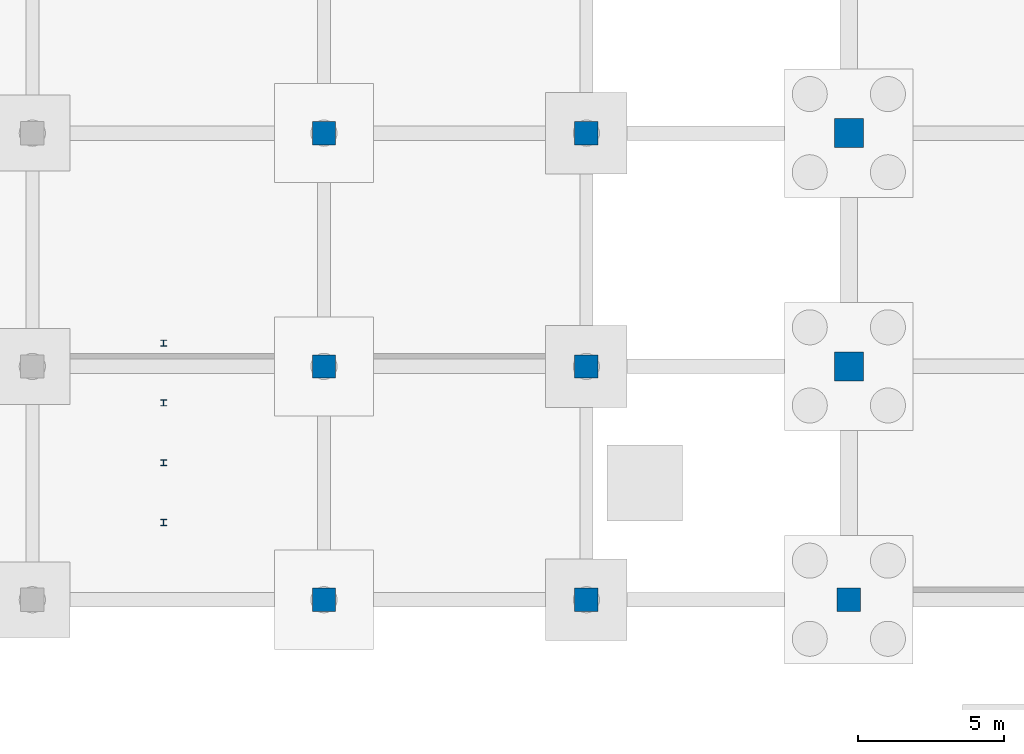
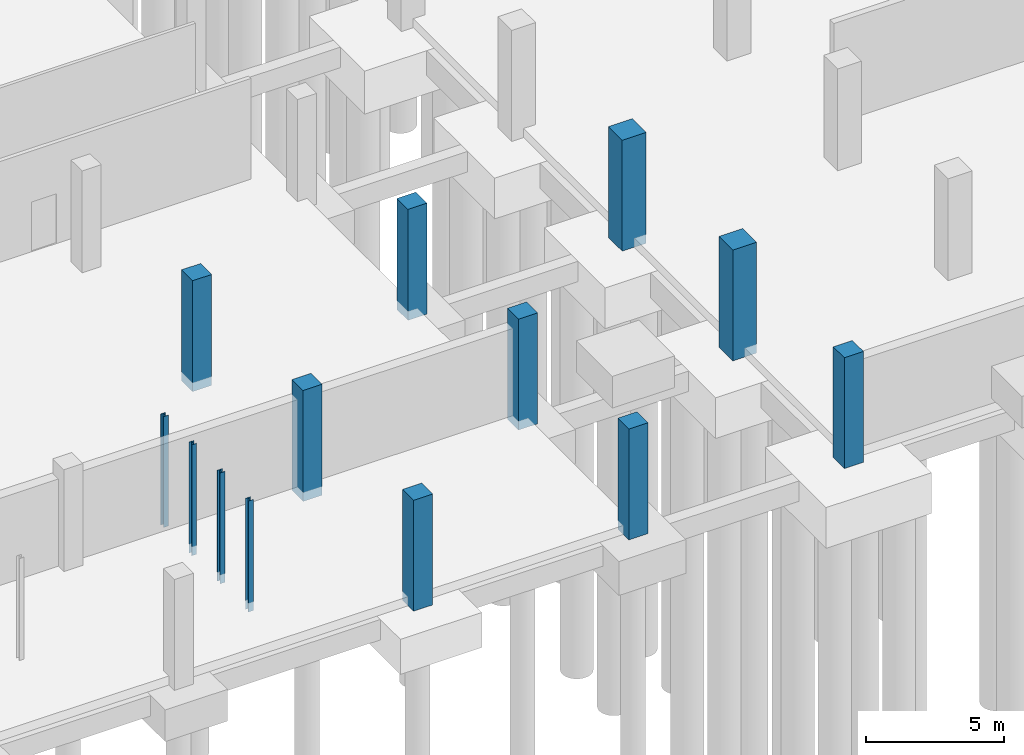
# One storey, part 13 of 40: 13 columns.
"""IFC4 building model written with IfcOpenShell, lengths in metres."""

from ifc_helpers import new_model, si_unit, direction, frame, origin, origin_2d, place, context, subcontext, project, spatial, rectangle, i_section, extrude, material, material_profile, profile_set, type_object, element, save


model = new_model("IFC4")

# Units and contexts
model_context = context("Model", 3, precision=1e-05, world=origin(), true_north=direction((0.0, 1.0)))
body_context = subcontext(model_context, "Body", "Model", "MODEL_VIEW")
ifc_project = project(units=[si_unit("LENGTHUNIT", "METRE"), si_unit("AREAUNIT", "SQUARE_METRE"), si_unit("VOLUMEUNIT", "CUBIC_METRE"), si_unit("PLANEANGLEUNIT", "RADIAN"), si_unit("MASSUNIT", "GRAM", prefix="KILO")], contexts=[model_context])

# Site, building, storey
site_placement = place(None, origin())
site = spatial("IfcSite", under=ifc_project, at=site_placement, CompositionType="ELEMENT")
building_placement = place(site_placement, origin())
building = spatial("IfcBuilding", under=site, at=building_placement, Name="Marnock Terrace Opera House", CompositionType="ELEMENT")
storey_placement = place(building_placement, frame((0.0, 0.0, -4.800048828125)))
storey = spatial("IfcBuildingStorey", under=building, at=storey_placement, Name="B1", CompositionType="ELEMENT", Elevation=-4.800048828125)

# Columns
ifc_material_1 = material(Name="Concrete N50 (f'c = 50 MPa)", Category="concrete")
ifc_material_profile_1 = material_profile(ifc_material_1, rectangle(XDim=1.0, YDim=1.0, at=origin_2d()))
ifc_profile_set_1 = profile_set([ifc_material_profile_1], Name="Concrete N50 (f'c = 50 MPa)")
column_type_1 = type_object("IfcColumnType", Name="COL-RC1000", PredefinedType="COLUMN", material=ifc_profile_set_1)
for number, where, z_axis, x_axis, name in (
    (1, (55.0, 16.0, -0.39990234375), (0.0, 0.0, 1.0), (1.0, 0.0, 0.0), "B1 column at (55.0, 16.0)"),
    (2, (55.0, 24.0, -0.39990234375), (0.0, 0.0, 1.0), (1.0, 0.0, 0.0), "B1 column at (55.0, 24.0)"),
):
    element("IfcColumn", number, at=place(storey_placement, frame(where, z_axis=z_axis, x_axis=x_axis)), inside=storey, type_object=column_type_1, Name=name, PredefinedType="COLUMN", context=body_context, shape_type="SweptSolid", body=[
        extrude(rectangle(XDim=1.0, YDim=1.0, at=origin_2d()), origin(), (0.0, 0.0, 1.0), 4.89990234375),
    ])
ifc_material_profile_2 = material_profile(ifc_material_1, rectangle(XDim=0.800048828125, YDim=0.800048828125, at=origin_2d()))
ifc_profile_set_2 = profile_set([ifc_material_profile_2], Name="Concrete N50 (f'c = 50 MPa)")
column_type_2 = type_object("IfcColumnType", Name="COL-RC800", PredefinedType="COLUMN", material=ifc_profile_set_2)
for number, where, z_axis, x_axis, name in (
    (3, (37.0, 8.0, -0.39990234375), (0.0, 0.0, 1.0), (1.0, 0.0, 0.0), "B1 column at (37.0, 8.0)"),
    (4, (37.0, 16.0, -0.39990234375), (0.0, 0.0, 1.0), (1.0, 0.0, 0.0), "B1 column at (37.0, 16.0)"),
    (5, (37.0, 24.0, -0.39990234375), (0.0, 0.0, 1.0), (1.0, 0.0, 0.0), "B1 column at (37.0, 24.0)"),
    (6, (46.0, 8.0, -0.39990234375), (0.0, 0.0, 1.0), (1.0, 0.0, 0.0), "B1 column at (46.0, 8.0)"),
    (7, (46.0, 16.0, -0.39990234375), (0.0, 0.0, 1.0), (1.0, 0.0, 0.0), "B1 column at (46.0, 16.0)"),
    (8, (46.0, 24.0, -0.39990234375), (0.0, 0.0, 1.0), (1.0, 0.0, 0.0), "B1 column at (46.0, 24.0)"),
    (9, (55.0, 8.0, -0.39990234375), (0.0, 0.0, 1.0), (1.0, 0.0, 0.0), "B1 column at (55.0, 8.0)"),
):
    element("IfcColumn", number, at=place(storey_placement, frame(where, z_axis=z_axis, x_axis=x_axis)), inside=storey, type_object=column_type_2, Name=name, PredefinedType="COLUMN", context=body_context, shape_type="SweptSolid", body=[
        extrude(rectangle(XDim=0.800048828125, YDim=0.800048828125, at=origin_2d()), origin(), (0.0, 0.0, 1.0), 4.89990234375),
    ])
ifc_material_2 = material(Name="Steel Grade 350 (AS/NZS 3679.1)", Category="steel")
ifc_material_profile_3 = material_profile(ifc_material_2, i_section(OverallWidth=0.205078125, OverallDepth=0.209716796875, WebThickness=0.00927734375, FlangeThickness=0.01416015625, FilletRadius=0.011474609375, at=origin_2d()))
ifc_profile_set_3 = profile_set([ifc_material_profile_3], Name="Steel Grade 350 (AS/NZS 3679.1)")
column_type_3 = type_object("IfcColumnType", Name="COL-UC200", PredefinedType="COLUMN", material=ifc_profile_set_3)
for number, where, z_axis, x_axis, name in (
    (10, (31.5, 10.64990234375, -0.39990234375), (0.0, 0.0, 1.0), (1.0, 0.0, 0.0), "B1 Chamber tier 1 support column E"),
    (11, (31.5, 12.699951171875, -0.39990234375), (0.0, 0.0, 1.0), (1.0, 0.0, 0.0), "B1 Chamber tier 2 support column E"),
    (12, (31.5, 14.75, -0.39990234375), (0.0, 0.0, 1.0), (1.0, 0.0, 0.0), "B1 Chamber tier 3 support column E"),
    (13, (31.5, 16.800048828125, -0.39990234375), (0.0, 0.0, 1.0), (1.0, 0.0, 0.0), "B1 Chamber tier 4 support column E"),
):
    element("IfcColumn", number, at=place(storey_placement, frame(where, z_axis=z_axis, x_axis=x_axis)), inside=storey, type_object=column_type_3, Name=name, PredefinedType="COLUMN", context=body_context, shape_type="SweptSolid", body=[
        extrude(i_section(OverallWidth=0.205078125, OverallDepth=0.209716796875, WebThickness=0.00927734375, FlangeThickness=0.01416015625, FilletRadius=0.011474609375, at=origin_2d()), origin(), (0.0, 0.0, 1.0), 4.89990234375),
    ])

save(model, "model.ifc")
